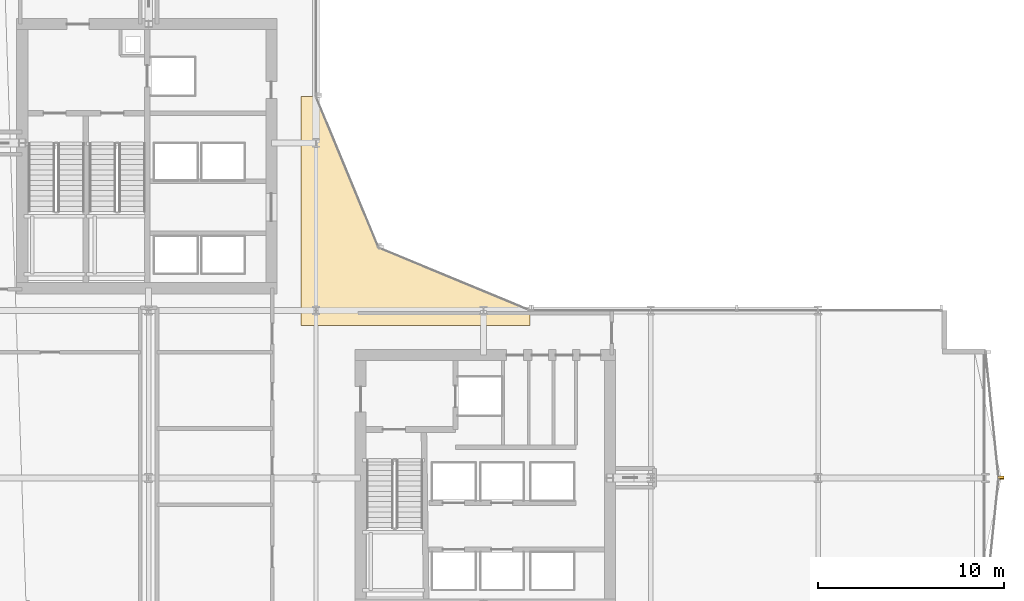
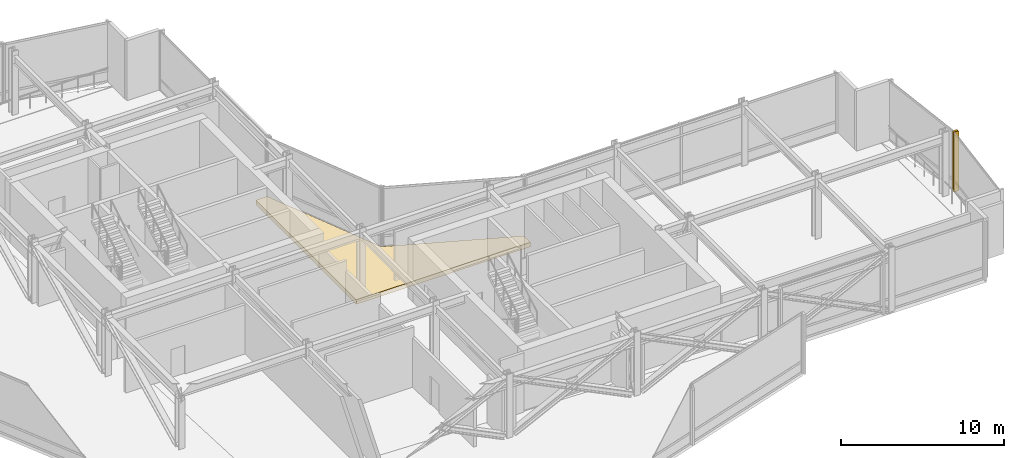
# One storey, part 42 of 42: 2 shading devices, 1 covering.
"""IFC4 building model written with IfcOpenShell, lengths in metres."""

import ifcopenshell
import ifcopenshell.guid

model = None  # the IFC model being written
_history = None  # IfcOwnerHistory: only IFC2X3 demands one
_inside = {}  # id of a spatial element -> (the spatial element, [elements in it])
_under = {}  # id of a project, library or spatial element -> (it, [spatial elements below it])
_declared = {}  # id of a project -> (the project, [libraries it declares])
_typed = {}  # id of a type object -> (the type object, [elements of that type])
_made_of = {}  # id of a material, layer set ... -> (it, [elements and type objects made of it])


def new_model(schema):
    """Start an empty IFC model of exactly this schema.

    Asked for "IFC4X3", IfcOpenShell would pick the latest addendum, in which some entities
    have other attributes; the version numbers below select the first issue.
    IFC2X3 requires an IfcOwnerHistory on every rooted entity: one is made here for all.
    """
    global model, _history
    if schema == "IFC4X3":
        model = ifcopenshell.file(schema_version=(4, 3, 0, 0))
    else:
        model = ifcopenshell.file(schema=schema)
    _inside.clear()
    _under.clear()
    _declared.clear()
    _typed.clear()
    _made_of.clear()
    _history = None
    if model.schema == "IFC2X3":
        org = make("IfcOrganization", Name="unknown")
        user = make(
            "IfcPersonAndOrganization",
            ThePerson=make("IfcPerson", FamilyName="unknown"),
            TheOrganization=org,
        )
        app = make(
            "IfcApplication",
            ApplicationDeveloper=org,
            Version="unknown",
            ApplicationFullName="unknown",
            ApplicationIdentifier="unknown",
        )
        _history = make(
            "IfcOwnerHistory",
            OwningUser=user,
            OwningApplication=app,
            ChangeAction="ADDED",
            CreationDate=0,
        )
    return model


def make(cls, **values):
    """One entity of the class cls with the attributes given. An attribute that is None is left unset."""
    return model.create_entity(
        cls, **{name: value for name, value in values.items() if value is not None}
    )


def rooted(cls, **values):
    """An entity with a GlobalId (a new one), such as an element, a storey or a relation."""
    return make(cls, GlobalId=ifcopenshell.guid.new(), OwnerHistory=_history, **values)


def si_unit(unit_type, name, prefix=None):
    """IfcSIUnit, for example si_unit("LENGTHUNIT", "METRE", prefix="MILLI")."""
    return make("IfcSIUnit", UnitType=unit_type, Prefix=prefix, Name=name)


def assignment(units):
    """IfcUnitAssignment: the units of a project."""
    return None if units is None else make("IfcUnitAssignment", Units=units)


def point(xyz):
    """IfcCartesianPoint."""
    return None if xyz is None else make("IfcCartesianPoint", Coordinates=xyz)


def direction(xyz):
    """IfcDirection."""
    return None if xyz is None else make("IfcDirection", DirectionRatios=xyz)


def frame(location, z_axis=None, x_axis=None):
    """IfcAxis2Placement3D, a coordinate frame: its origin and axes. An axis left out is left unset."""
    return make(
        "IfcAxis2Placement3D",
        Location=point(location),
        Axis=direction(z_axis),
        RefDirection=direction(x_axis),
    )


def frame_2d(location, x_axis=None):
    """IfcAxis2Placement2D, a coordinate frame in the plane: its origin and x axis."""
    return make(
        "IfcAxis2Placement2D", Location=point(location), RefDirection=direction(x_axis)
    )


def origin():
    """The frame at (0, 0, 0) with its axes left unset."""
    return frame((0.0, 0.0, 0.0))


def origin_2d():
    """The frame at (0, 0) in the plane with its x axis left unset."""
    return frame_2d((0.0, 0.0))


def place(relative_to, where):
    """IfcLocalPlacement: puts the frame where relative to a parent placement (None: the world)."""
    return make(
        "IfcLocalPlacement", PlacementRelTo=relative_to, RelativePlacement=where
    )


def context(
    kind, dimensions, precision=None, world=None, true_north=None, identifier=None
):
    """IfcGeometricRepresentationContext, for example the 3D "Model" context."""
    return make(
        "IfcGeometricRepresentationContext",
        ContextIdentifier=identifier,
        ContextType=kind,
        CoordinateSpaceDimension=dimensions,
        Precision=precision,
        WorldCoordinateSystem=world,
        TrueNorth=true_north,
    )


def subcontext(parent, identifier, kind, view, scale=None):
    """IfcGeometricRepresentationSubContext, for example "Body" below "Model"."""
    return make(
        "IfcGeometricRepresentationSubContext",
        ContextIdentifier=identifier,
        ContextType=kind,
        ParentContext=parent,
        TargetScale=scale,
        TargetView=view,
    )


def project(units=None, contexts=None):
    """IfcProject with its units and contexts."""
    return rooted(
        "IfcProject",
        Name="project",
        RepresentationContexts=contexts,
        UnitsInContext=assignment(units),
    )


def spatial(cls, under=None, at=None, **own):
    """A site, building, storey or space (cls), placed at a placement, below another one or the project."""
    s = rooted(cls, ObjectPlacement=at, **own)
    if under is not None:
        _under.setdefault(under.id(), (under, []))[1].append(s)
    return s


def polyline(points):
    """IfcPolyline through the points."""
    return make("IfcPolyline", Points=[point(p) for p in points])


def profile(cls, at=None, kind="AREA", **sizes):
    """A parametric profile (cls). Its sizes go by their IFC names, for example OverallWidth=200.0."""
    return make(cls, ProfileType=kind, Position=at, **sizes)


def rectangle(**sizes):
    """IfcRectangleProfileDef."""
    return profile("IfcRectangleProfileDef", **sizes)


def outline(outer, holes=None, kind="AREA"):
    """IfcArbitraryClosedProfileDef: a profile drawn as a closed curve; with holes, ...WithVoids."""
    if holes is None:
        return make("IfcArbitraryClosedProfileDef", ProfileType=kind, OuterCurve=outer)
    return make(
        "IfcArbitraryProfileDefWithVoids",
        ProfileType=kind,
        OuterCurve=outer,
        InnerCurves=holes,
    )


def extrude(swept, where, along, depth):
    """IfcExtrudedAreaSolid: the profile swept, set in the frame where, extruded along a direction by depth."""
    return make(
        "IfcExtrudedAreaSolid",
        SweptArea=swept,
        Position=where,
        ExtrudedDirection=direction(along),
        Depth=depth,
    )


def shape(context_of_items, identifier, shape_type, items):
    """IfcShapeRepresentation: the items that make up one representation, for example the "Body"."""
    return make(
        "IfcShapeRepresentation",
        ContextOfItems=context_of_items,
        RepresentationIdentifier=identifier,
        RepresentationType=shape_type,
        Items=items,
    )


def material(Name=None, Category=None):
    """IfcMaterial."""
    return make("IfcMaterial", Name=Name, Category=Category)


def layer(
    of_material, thickness, ventilated=None, Name=None, Category=None, Priority=None
):
    """IfcMaterialLayer: one layer of a wall or slab, of a material (None: an air gap)."""
    return make(
        "IfcMaterialLayer",
        Material=of_material,
        LayerThickness=thickness,
        IsVentilated=ventilated,
        Name=Name,
        Category=Category,
        Priority=Priority,
    )


def layer_set(layers, Name=None):
    """IfcMaterialLayerSet."""
    return make("IfcMaterialLayerSet", MaterialLayers=layers, LayerSetName=Name)


def made_of(thing, what):
    """Note that an element or type object is made of a material, layer set ...; save() writes the relation."""
    if what is not None:
        _made_of.setdefault(what.id(), (what, []))[1].append(thing)
    return thing


def type_object(cls, material=None, **own):
    """A type object (cls), such as IfcWallType, which elements share."""
    return made_of(rooted(cls, **own), material)


def element(
    cls,
    number,
    at=None,
    inside=None,
    cuts=None,
    type_object=None,
    material=None,
    context=None,
    identifier="Body",
    shape_type=None,
    held_by="IfcProductDefinitionShape",
    body=None,
    shapes=None,
    **own,
):
    """One element of the class cls, such as IfcWall. Its Tag is "e" and its number.

    at: its placement. inside: the storey or other place that contains it. cuts: it is an
    opening in that element (IfcRelVoidsElement). A single representation is given by context,
    identifier, shape_type and body (its items); several are given by shapes. held_by: the class
    of the entity that holds the representations. save() writes the other relations.
    """
    e = rooted(cls, Tag="e%d" % number, ObjectPlacement=at, **own)
    if body is not None:
        shapes = [shape(context, identifier, shape_type, body)]
    if shapes is not None:
        e.Representation = make(held_by, Representations=shapes)
    if inside is not None:
        _inside.setdefault(inside.id(), (inside, []))[1].append(e)
    if cuts is not None:
        rooted(
            "IfcRelVoidsElement", RelatingBuildingElement=cuts, RelatedOpeningElement=e
        )
    if type_object is not None:
        _typed.setdefault(type_object.id(), (type_object, []))[1].append(e)
    return made_of(e, material)


def aggregate(whole, parts):
    """IfcRelAggregates: a whole, such as a stair, and the parts it consists of."""
    return rooted("IfcRelAggregates", RelatingObject=whole, RelatedObjects=parts)


def save(model, path):
    """Write the relations noted so far, then the file.

    IfcRelAggregates (storeys below a building ...), IfcRelContainedInSpatialStructure (elements
    in a storey), IfcRelDefinesByType, IfcRelAssociatesMaterial and IfcRelDeclares: one each for
    every whole, place, type object, material and project.
    """
    for whole, parts in _under.values():
        aggregate(whole, parts)
    for where, things in _inside.values():
        rooted(
            "IfcRelContainedInSpatialStructure",
            RelatedElements=things,
            RelatingStructure=where,
        )
    for kind, things in _typed.values():
        rooted("IfcRelDefinesByType", RelatedObjects=things, RelatingType=kind)
    for what, things in _made_of.values():
        rooted("IfcRelAssociatesMaterial", RelatedObjects=things, RelatingMaterial=what)
    for by, libraries in _declared.values():
        rooted("IfcRelDeclares", RelatingContext=by, RelatedDefinitions=libraries)
    model.write(path)


model = new_model("IFC4")

# Units and contexts
model_context = context("Model", 3, precision=1e-05, world=origin(), true_north=direction((0.0, 1.0)))
body_context = subcontext(model_context, "Body", "Model", "MODEL_VIEW")
ifc_project = project(units=[si_unit("LENGTHUNIT", "METRE"), si_unit("AREAUNIT", "SQUARE_METRE"), si_unit("VOLUMEUNIT", "CUBIC_METRE"), si_unit("PLANEANGLEUNIT", "RADIAN"), si_unit("MASSUNIT", "GRAM", prefix="KILO")], contexts=[model_context])

# Site, building, storey
site_placement = place(None, origin())
site = spatial("IfcSite", under=ifc_project, at=site_placement, CompositionType="ELEMENT")
building_placement = place(site_placement, origin())
building = spatial("IfcBuilding", under=site, at=building_placement, Name="Solvaryn Broadcast Tower", CompositionType="ELEMENT")
storey_placement = place(building_placement, frame((0.0, 0.0, 100.199951171875)))
storey = spatial("IfcBuildingStorey", under=building, at=storey_placement, Name="L24", CompositionType="ELEMENT", Elevation=100.199951171875)

# Covering
ifc_material_1 = material(Name="Sculpted Architectural Terracotta Wave Fascia", Category="masonry")
ifc_layer = layer(ifc_material_1, 0.340087890625)
ifc_layer_set = layer_set([ifc_layer], Name="CV-WAVE-TRAY")
covering_type = type_object("IfcCoveringType", Name="CV-WAVE-TRAY", PredefinedType="CLADDING", material=ifc_layer_set)
covering_placement = place(storey_placement, frame((0.0, 0.0, -0.300048828125)))
element("IfcCovering", 1, at=covering_placement, inside=storey, type_object=covering_type, Name="L24 Concave Canyon Floor Apron", PredefinedType="CLADDING", context=body_context, shape_type="SweptSolid", body=[
    extrude(outline(polyline([(26.199951171875, 26.199951171875), (38.5, 26.199951171875), (38.5, 27.0), (30.367919921875, 30.367919921875), (27.0, 38.5), (26.199951171875, 38.5), (26.199951171875, 26.199951171875)])), origin(), (0.0, 0.0, 1.0), 0.330078125),
])

# Shading devices
ifc_material_2 = material(Name="Anodised Aluminium Acoustic Louvre", Category="aluminium")
shading_device_type = type_object("IfcShadingDeviceType", Name="LV-01 Plant Intake Louvre", PredefinedType="USERDEFINED", material=ifc_material_2)
for number, where, z_axis, x_axis, name in (
    (2, (63.822021484375, 18.02978515625, 0.0), (0.0, 0.0, 1.0), (1.0, 0.0, 0.0), "L24 Plant Acoustic Louvre LV-CW-L24-ET1/M01"),
    (3, (63.822021484375, 17.97021484375, 0.0), (0.0, 0.0, 1.0), (1.0, 0.0, 0.0), "L24 Plant Acoustic Louvre LV-CW-L24-ET2/M00"),
):
    element("IfcShadingDevice", number, at=place(storey_placement, frame(where, z_axis=z_axis, x_axis=x_axis)), inside=storey, type_object=shading_device_type, Name=name, ObjectType="LOUVRE", PredefinedType="USERDEFINED", context=body_context, shape_type="SweptSolid", body=[
        extrude(rectangle(XDim=0.340087890625, YDim=0.139892578125, at=origin_2d()), origin(), (0.0, 0.0, 1.0), 4.469970703125),
    ])

save(model, "model.ifc")
